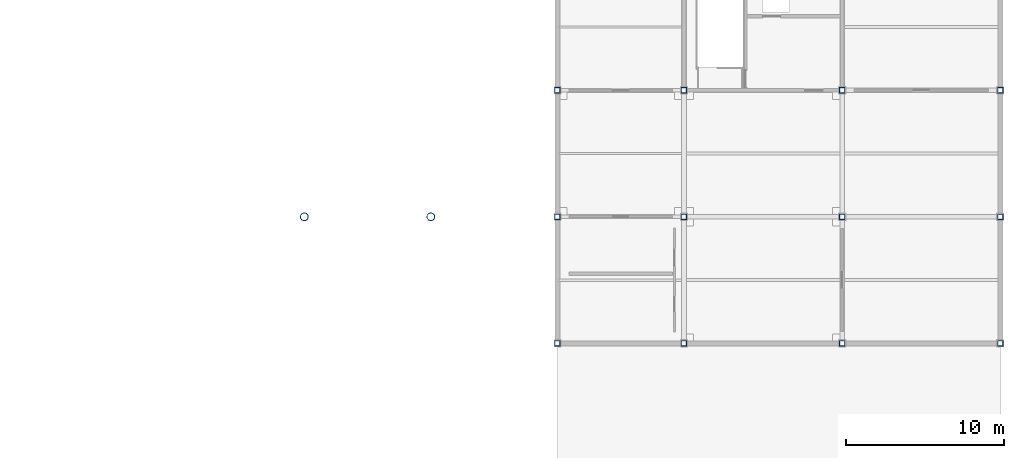
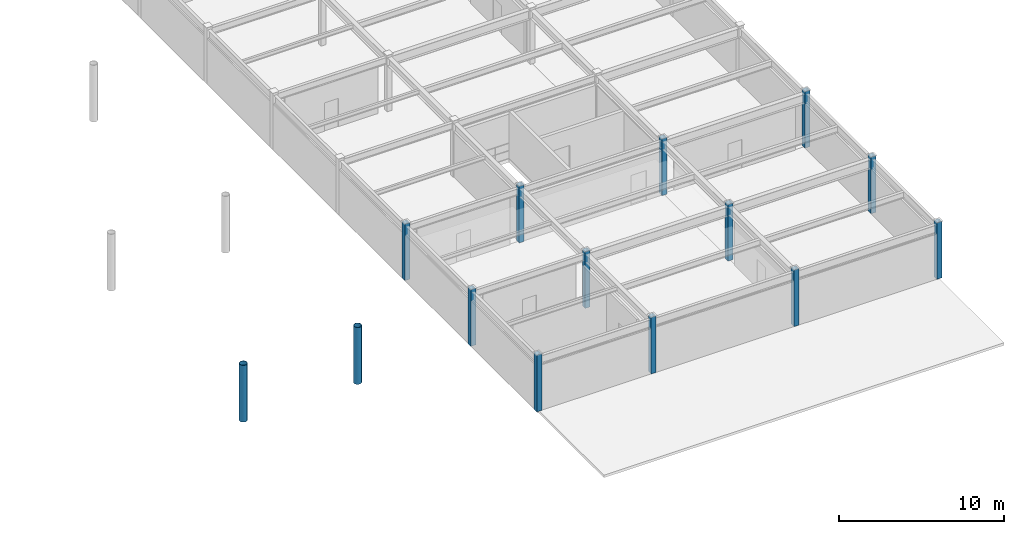
# One storey, part 9 of 78: 14 columns.
"""IFC4 building model written with IfcOpenShell, lengths in metres."""

from ifc_helpers import new_model, si_unit, direction, frame, origin, origin_2d, place, context, subcontext, project, spatial, hollow_rectangle, hollow_circle, extrude, material, material_profile, profile_set, type_object, element, save


model = new_model("IFC4")

# Units and contexts
model_context = context("Model", 3, precision=1e-05, world=origin(), true_north=direction((0.0, 1.0)))
body_context = subcontext(model_context, "Body", "Model", "MODEL_VIEW")
ifc_project = project(units=[si_unit("LENGTHUNIT", "METRE"), si_unit("AREAUNIT", "SQUARE_METRE"), si_unit("VOLUMEUNIT", "CUBIC_METRE"), si_unit("PLANEANGLEUNIT", "RADIAN"), si_unit("MASSUNIT", "GRAM", prefix="KILO")], contexts=[model_context])

# Site, building, storey
site_placement = place(None, origin())
site = spatial("IfcSite", under=ifc_project, at=site_placement, CompositionType="ELEMENT")
building_placement = place(site_placement, origin())
building = spatial("IfcBuilding", under=site, at=building_placement, Name="Haebicheon Civic Stadium", CompositionType="ELEMENT")
storey_placement = place(building_placement, frame((0.0, 0.0, 18.60009765625)))
storey = spatial("IfcBuildingStorey", under=building, at=storey_placement, Name="L05", CompositionType="ELEMENT", Elevation=18.60009765625)

# Columns
ifc_material_1 = material(Name="White painted steel SM490", Category="steel")
ifc_material_profile_1 = material_profile(ifc_material_1, hollow_circle(Radius=0.25390625, WallThickness=0.02490234375, at=origin_2d()), Name="CHS-508.0x25.0")
ifc_profile_set_1 = profile_set([ifc_material_profile_1], Name="White painted steel SM490")
column_type_1 = type_object("IfcColumnType", Name="COL-ST-CHS508", PredefinedType="COLUMN", material=ifc_profile_set_1)
for number, where, z_axis, x_axis, name in (
    (1, (200.0, 56.0, 0.0), (0.0, 0.0, 1.0), (1.0, 0.0, 0.0), "Bowl/canopy support column 200/56 (L05)"),
    (2, (192.0, 56.0, 0.0), (0.0, 0.0, 1.0), (1.0, 0.0, 0.0), "Bowl/canopy support column 192/56 (L05)"),
):
    element("IfcColumn", number, at=place(storey_placement, frame(where, z_axis=z_axis, x_axis=x_axis)), inside=storey, type_object=column_type_1, material=ifc_profile_set_1, Name=name, PredefinedType="COLUMN", context=body_context, shape_type="SweptSolid", body=[
        extrude(hollow_circle(Radius=0.25390625, WallThickness=0.02490234375, at=origin_2d()), origin(), (0.0, 0.0, 1.0), 4.199951171875),
    ])
ifc_material_2 = material(Name="Steel SM490", Category="steel")
ifc_material_profile_2 = material_profile(ifc_material_2, hollow_rectangle(XDim=0.35009765625, YDim=0.35009765625, WallThickness=0.01611328125, at=origin_2d()), Name="RHS-350x350x16.0")
ifc_profile_set_2 = profile_set([ifc_material_profile_2], Name="Steel SM490")
column_type_2 = type_object("IfcColumnType", Name="COL-ST-RHS350", PredefinedType="COLUMN", material=ifc_profile_set_2)
for number, where, z_axis, x_axis, name in (
    (3, (208.0, 48.0, 0.0), (0.0, 0.0, 1.0), (1.0, 0.0, 0.0), "L05 column 27/G"),
    (4, (208.0, 56.0, 0.0), (0.0, 0.0, 1.0), (1.0, 0.0, 0.0), "L05 column 27/H"),
    (5, (208.0, 64.0, 0.0), (0.0, 0.0, 1.0), (1.0, 0.0, 0.0), "L05 column 27/J"),
    (6, (216.0, 48.0, 0.0), (0.0, 0.0, 1.0), (1.0, 0.0, 0.0), "L05 column 28/G"),
    (7, (216.0, 56.0, 0.0), (0.0, 0.0, 1.0), (1.0, 0.0, 0.0), "L05 column 28/H"),
    (8, (216.0, 64.0, 0.0), (0.0, 0.0, 1.0), (1.0, 0.0, 0.0), "L05 column 28/J"),
    (9, (226.0, 48.0, 0.0), (0.0, 0.0, 1.0), (1.0, 0.0, 0.0), "L05 column 29/G"),
    (10, (226.0, 56.0, 0.0), (0.0, 0.0, 1.0), (1.0, 0.0, 0.0), "L05 column 29/H"),
    (11, (226.0, 64.0, 0.0), (0.0, 0.0, 1.0), (1.0, 0.0, 0.0), "L05 column 29/J"),
    (12, (236.0, 48.0, 0.0), (0.0, 0.0, 1.0), (1.0, 0.0, 0.0), "L05 column 30/G"),
    (13, (236.0, 56.0, 0.0), (0.0, 0.0, 1.0), (1.0, 0.0, 0.0), "L05 column 30/H"),
    (14, (236.0, 64.0, 0.0), (0.0, 0.0, 1.0), (1.0, 0.0, 0.0), "L05 column 30/J"),
):
    element("IfcColumn", number, at=place(storey_placement, frame(where, z_axis=z_axis, x_axis=x_axis)), inside=storey, type_object=column_type_2, material=ifc_profile_set_2, Name=name, PredefinedType="COLUMN", context=body_context, shape_type="SweptSolid", body=[
        extrude(hollow_rectangle(XDim=0.35009765625, YDim=0.35009765625, WallThickness=0.01611328125, at=origin_2d()), origin(), (0.0, 0.0, 1.0), 4.199951171875),
    ])

save(model, "model.ifc")
